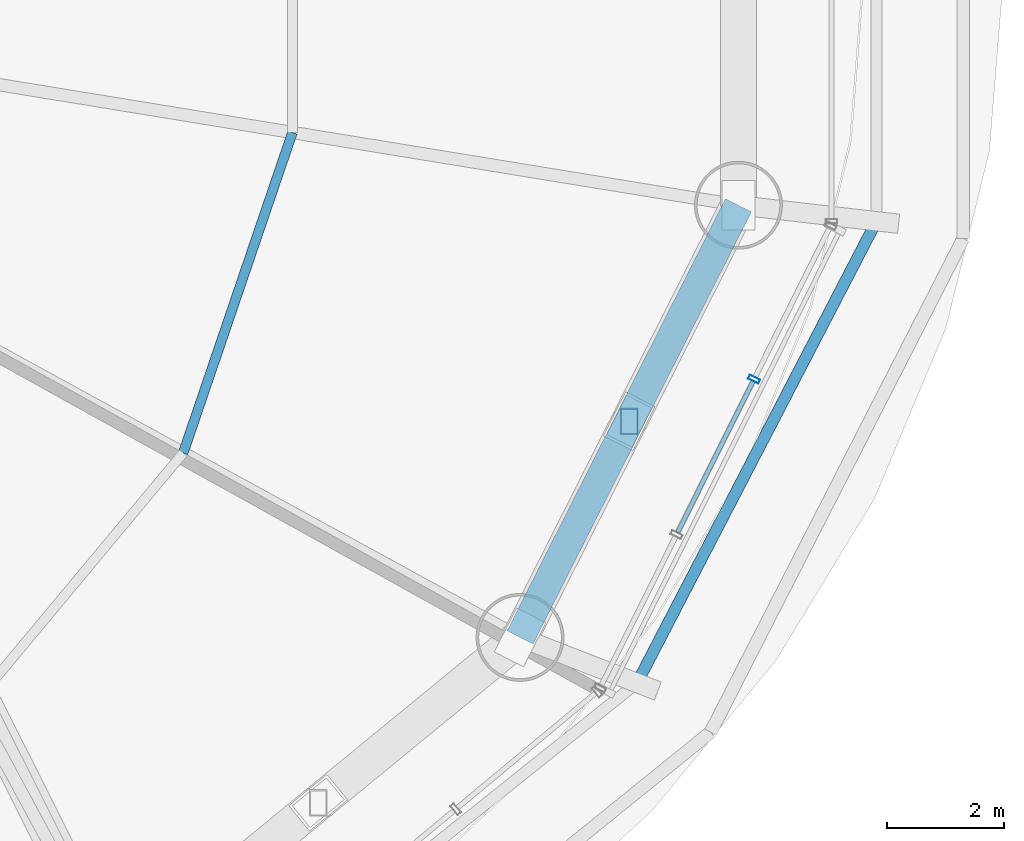
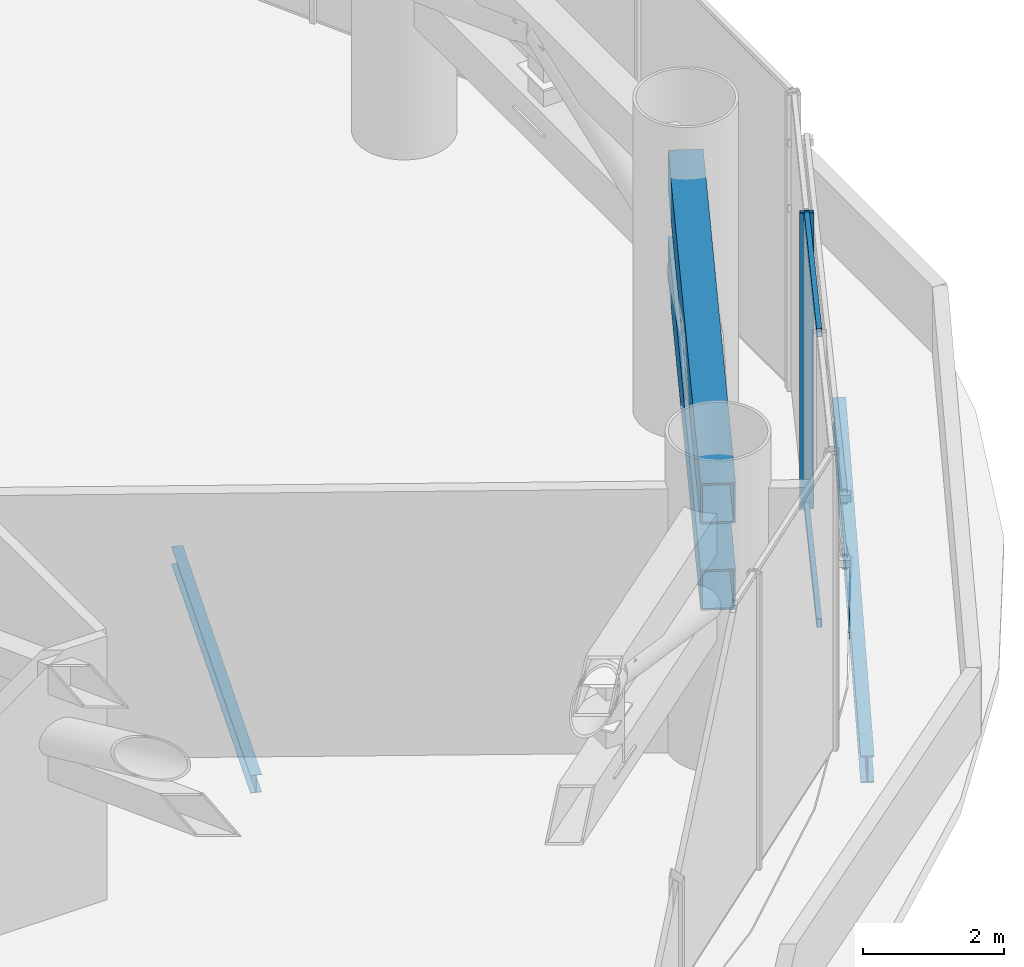
# One storey, part 15 of 33: 6 members, 2 beams, 1 element without a shape of its own.
"""IFC4 building model written with IfcOpenShell, lengths in metres."""

from ifc_helpers import new_model, si_unit, direction, frame, origin, origin_2d, place, context, subcontext, project, spatial, hollow_rectangle, i_section, extrude, source, transform, mapped, material, material_profile, profile_set, type_object, element, aggregate, save


model = new_model("IFC4")

# Units and contexts
model_context = context("Model", 3, precision=1e-05, world=origin(), true_north=direction((-0.2419218956, 0.970295726276)))
body_context = subcontext(model_context, "Body", "Model", "MODEL_VIEW")
ifc_project = project(units=[si_unit("LENGTHUNIT", "METRE"), si_unit("AREAUNIT", "SQUARE_METRE"), si_unit("VOLUMEUNIT", "CUBIC_METRE"), si_unit("PLANEANGLEUNIT", "RADIAN"), si_unit("MASSUNIT", "GRAM", prefix="KILO")], contexts=[model_context])

# Site, building, storey
site_placement = place(None, origin())
site = spatial("IfcSite", under=ifc_project, at=site_placement, CompositionType="ELEMENT")
building_placement = place(site_placement, origin())
building = spatial("IfcBuilding", under=site, at=building_placement, Name="Cobrevalo Terracotta Tower", CompositionType="ELEMENT")
storey_placement = place(building_placement, frame((0.0, 0.0, 74.39990234375)))
storey = spatial("IfcBuildingStorey", under=building, at=storey_placement, Name="L19", CompositionType="ELEMENT", Elevation=74.39990234375)

# Beams
ifc_material_1 = material(Name="Steel S355", Category="steel")
ifc_material_profile_1 = material_profile(ifc_material_1, i_section(OverallWidth=0.1650390625, OverallDepth=0.31005859375, WebThickness=0.005859375, FlangeThickness=0.009765625, at=origin_2d()), Name="W 310x38.7")
ifc_profile_set_1 = profile_set([ifc_material_profile_1], Name="Steel S355")
beam_type_1 = type_object("IfcBeamType", Name="Structural Joist W 310x38.7 (Steel S355)", PredefinedType="JOIST", material=ifc_profile_set_1)
beam_1_placement = place(storey_placement, frame((53.0, 18.5849609375, -0.60498046875), z_axis=(0.322587842666, 0.94653953101, 0.0), x_axis=(-0.94653953101, 0.322587842666, 0.0)))
element("IfcBeam", 1, at=beam_1_placement, inside=storey, type_object=beam_type_1, Name="L19 circumferential secondary floor joist 15", PredefinedType="JOIST", context=body_context, shape_type="SweptSolid", body=[
    extrude(i_section(OverallWidth=0.1650390625, OverallDepth=0.31005859375, WebThickness=0.005859375, FlangeThickness=0.009765625, at=origin_2d()), origin(), (0.0, 0.0, 1.0), 5.7744140625),
])
ifc_material_profile_2 = material_profile(ifc_material_1, i_section(OverallWidth=0.194091796875, OverallDepth=0.468994140625, WebThickness=0.011474609375, FlangeThickness=0.0205078125, at=origin_2d()), Name="W 460x106")
ifc_profile_set_2 = profile_set([ifc_material_profile_2], Name="Steel S355")
beam_type_2 = type_object("IfcBeamType", Name="Structural Spandrel W 460x106 (Steel S355)", PredefinedType="SPANDREL", material=ifc_profile_set_2)
beam_2_placement = place(storey_placement, frame((60.74072265625, 14.660888671875, -0.684326171875), z_axis=(0.460285838799, 0.88777077368, 0.0), x_axis=(-0.88777077368, 0.460285838799, 0.0)))
element("IfcBeam", 2, at=beam_2_placement, inside=storey, type_object=beam_type_2, Name="L19 perimeter ring spandrel 15", PredefinedType="SPANDREL", context=body_context, shape_type="SweptSolid", body=[
    extrude(i_section(OverallWidth=0.194091796875, OverallDepth=0.468994140625, WebThickness=0.011474609375, FlangeThickness=0.0205078125, at=origin_2d()), origin(), (0.0, 0.0, 1.0), 8.8720703125),
])

# Members
ifc_material_profile_3 = material_profile(ifc_material_1, hollow_rectangle(XDim=0.5, YDim=0.699951171875, WallThickness=0.031982421875, at=origin_2d()), Name="RHS 700x500x32")
ifc_profile_set_3 = profile_set([ifc_material_profile_3], Name="Steel S355")
member_type_1 = type_object("IfcMemberType", Name="Steel Chord RHS 700x500x32 (Steel S355)", PredefinedType="CHORD", material=ifc_profile_set_3)
shared_shape_1 = source(origin(), body_context, "Body", "SweptSolid", [
    extrude(hollow_rectangle(XDim=0.5, YDim=0.699951171875, WallThickness=0.031982421875, at=origin_2d()), origin(), (0.0, 0.0, 1.0), 8.259765625),
])
for number, where, z_axis, x_axis, name in (
    (3, (58.7451171875, 15.4384765625, 2.650146484375), (0.451051982172, 0.892497680321, 0.0), (-0.892497680321, 0.451051982172, 0.0), "L19 belt truss chord 15-BC"),
    (4, (58.7451171875, 15.4384765625, 4.14501953125), (0.451051982172, 0.892497680321, 0.0), (-0.892497680321, 0.451051982172, 0.0), "L19 belt truss chord 15-TC"),
):
    element("IfcMember", number, at=place(storey_placement, frame(where, z_axis=z_axis, x_axis=x_axis)), inside=storey, type_object=member_type_1, Name=name, PredefinedType="CHORD", context=body_context, shape_type="MappedRepresentation", body=[
        mapped(shared_shape_1, transform((0.0, 0.0, 0.0), scale=1.0)),
    ])
ifc_material_profile_4 = material_profile(ifc_material_1, hollow_rectangle(XDim=0.300048828125, YDim=0.449951171875, WallThickness=0.02001953125, at=origin_2d()), Name="RHS 450x300x20")
ifc_profile_set_4 = profile_set([ifc_material_profile_4], Name="Steel S355")
member_type_2 = type_object("IfcMemberType", Name="Steel Post RHS 450x300x20 (Steel S355)", PredefinedType="POST", material=ifc_profile_set_4)
shared_shape_2 = source(origin(), body_context, "Body", "SweptSolid", [
    extrude(hollow_rectangle(XDim=0.300048828125, YDim=0.449951171875, WallThickness=0.02001953125, at=origin_2d()), origin(), (0.0, 0.0, 1.0), 1.494873046875),
])
member_1_placement = place(storey_placement, frame((60.60791015625, 19.12451171875, 2.650146484375), z_axis=(0.0, 0.0, 1.0), x_axis=(1.0, 0.0, 0.0)))
element("IfcMember", 5, at=member_1_placement, inside=storey, type_object=member_type_2, Name="L19 belt truss post 15", PredefinedType="POST", context=body_context, shape_type="MappedRepresentation", body=[
    mapped(shared_shape_2, transform((0.0, 0.0, 0.0), scale=1.0)),
])

# Curtain wall, members
ifc_material_2 = material(Name="Anodized aluminium", Category="aluminium")
curtain_wall_type = type_object("IfcCurtainWallType", Name="Belt-truss plant acoustic weather-louvre curtain wall CW-LV", PredefinedType="NOTDEFINED", material=ifc_material_2)
curtain_wall_placement = place(storey_placement, origin())
curtain_wall = element("IfcCurtainWall", 6, at=curtain_wall_placement, inside=storey, type_object=curtain_wall_type, Name="L19 curtain wall CW-LV-L19-S15", PredefinedType="NOTDEFINED")
ifc_material_profile_5 = material_profile(ifc_material_2, hollow_rectangle(XDim=0.074951171875, YDim=0.199951171875, WallThickness=0.0048828125, at=origin_2d()), Name="CWM 75x200")
ifc_profile_set_5 = profile_set([ifc_material_profile_5], Name="Anodized aluminium")
member_type_3 = type_object("IfcMemberType", Name="Lower/mid tower unitised mullion 75x200", PredefinedType="MULLION", material=ifc_profile_set_5)
shared_shape_3 = source(origin(), body_context, "Body", "SweptSolid", [
    extrude(hollow_rectangle(XDim=0.074951171875, YDim=0.199951171875, WallThickness=0.0048828125, at=origin_2d()), origin(), (0.0, 0.0, 1.0), 5.125),
])
member_2_placement = place(storey_placement, frame((62.737060546875, 19.842529296875, 0.0), z_axis=(0.0, 0.0, 1.0), x_axis=(0.446260290227, 0.894903208937, 0.0)))
member_2 = element("IfcMember", 7, at=member_2_placement, type_object=member_type_3, Name="CW-LV-L19-S15 vertical mullion 03", PredefinedType="MULLION", context=body_context, shape_type="MappedRepresentation", body=[
    mapped(shared_shape_3, transform((0.0, 0.0, 0.0), scale=1.0)),
])
ifc_material_profile_6 = material_profile(ifc_material_2, hollow_rectangle(XDim=0.074951171875, YDim=0.14990234375, WallThickness=0.00439453125, at=origin_2d()), Name="CWT 75x150")
ifc_profile_set_6 = profile_set([ifc_material_profile_6], Name="Anodized aluminium")
member_type_4 = type_object("IfcMemberType", Name="Tower unitised aluminium transom 75x150", PredefinedType="USERDEFINED", material=ifc_profile_set_6)
shared_shape_4 = source(origin(), body_context, "Body", "SweptSolid", [
    extrude(hollow_rectangle(XDim=0.074951171875, YDim=0.14990234375, WallThickness=0.00439453125, at=origin_2d()), origin(), (0.0, 0.0, 1.0), 2.88330078125),
])
member_3_placement = place(storey_placement, frame((61.432373046875, 17.226318359375, 0.050048828125), z_axis=(0.446298918912, 0.894883944977, 0.0), x_axis=(-0.894883944977, 0.446298918912, 0.0)))
member_3 = element("IfcMember", 8, at=member_3_placement, type_object=member_type_4, Name="CW-LV-L19-S15 transom B02-T1", ObjectType="TRANSOM", PredefinedType="USERDEFINED", context=body_context, shape_type="MappedRepresentation", body=[
    mapped(shared_shape_4, transform((0.0, 0.0, 0.0), scale=1.0)),
])
member_4_placement = place(storey_placement, frame((61.432373046875, 17.226318359375, 5.0751953125), z_axis=(0.446298918912, 0.894883944977, 0.0), x_axis=(-0.894883944977, 0.446298918912, 0.0)))
member_4 = element("IfcMember", 9, at=member_4_placement, type_object=member_type_4, Name="CW-LV-L19-S15 transom B02-T2", ObjectType="TRANSOM", PredefinedType="USERDEFINED", context=body_context, shape_type="MappedRepresentation", body=[
    mapped(shared_shape_4, transform((0.0, 0.0, 0.0), scale=1.0)),
])
aggregate(curtain_wall, [member_2, member_3, member_4])

save(model, "model.ifc")
